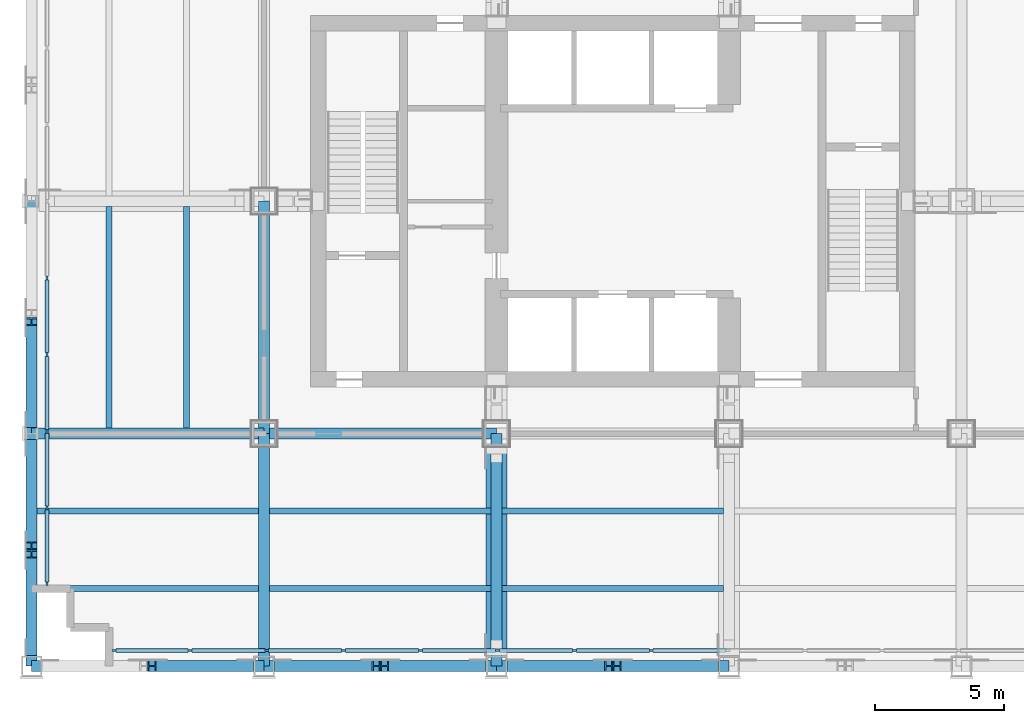
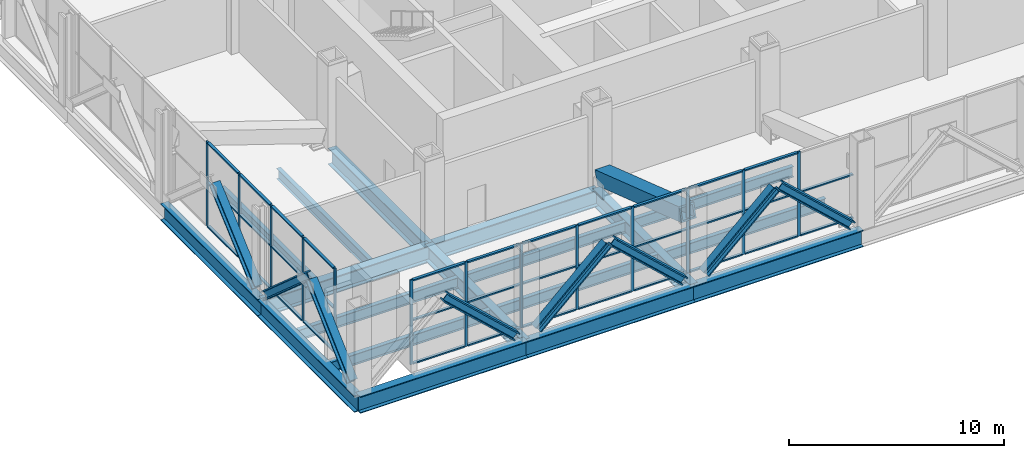
# One storey, part 2 of 16: 57 members, 18 beams, 2 elements without a shape of their own.
"""IFC4 building model written with IfcOpenShell, lengths in metres."""

from ifc_helpers import new_model, si_unit, direction, frame, origin, origin_2d, place, context, subcontext, project, spatial, rectangle, hollow_rectangle, i_section, extrude, material, material_profile, profile_set, type_object, element, aggregate, save


model = new_model("IFC4")

# Units and contexts
model_context = context("Model", 3, precision=1e-05, world=origin(), true_north=direction((0.0, 1.0)))
body_context = subcontext(model_context, "Body", "Model", "MODEL_VIEW")
ifc_project = project(units=[si_unit("LENGTHUNIT", "METRE"), si_unit("AREAUNIT", "SQUARE_METRE"), si_unit("VOLUMEUNIT", "CUBIC_METRE"), si_unit("PLANEANGLEUNIT", "RADIAN"), si_unit("MASSUNIT", "GRAM", prefix="KILO")], contexts=[model_context])

# Site, building, storey
site_placement = place(None, origin())
site = spatial("IfcSite", under=ifc_project, at=site_placement, CompositionType="ELEMENT")
building_placement = place(site_placement, origin())
building = spatial("IfcBuilding", under=site, at=building_placement, Name="Loomwork Tower", CompositionType="ELEMENT")
storey_placement = place(building_placement, frame((0.0, 0.0, 155.39990234375)))
storey = spatial("IfcBuildingStorey", under=building, at=storey_placement, Name="L42", CompositionType="ELEMENT", Elevation=155.39990234375)

# Beams
ifc_material_1 = material(Name="Steel ASTM A992", Category="steel")
ifc_material_profile_1 = material_profile(ifc_material_1, i_section(OverallWidth=0.424072265625, OverallDepth=0.947509765625, WebThickness=0.02392578125, FlangeThickness=0.042724609375, at=origin_2d()), Name="W36x302")
ifc_profile_set_1 = profile_set([ifc_material_profile_1], Name="Steel ASTM A992")
beam_type_1 = type_object("IfcBeamType", Name="BELT CHORD SPANDREL W36x302", PredefinedType="SPANDREL", material=ifc_profile_set_1)
for number, where, z_axis, x_axis, name in (
    (1, (0.0, 0.0, -0.7236328125), (1.0, 0.0, 0.0), (0.0, 1.0, 0.0), "Belt Chord Spandrel D/2-D/3 L42"),
    (2, (9.0, 0.0, -0.7236328125), (1.0, 0.0, 0.0), (0.0, 1.0, 0.0), "Belt Chord Spandrel D/3-D/4 L42"),
    (3, (18.0, 0.0, -0.7236328125), (1.0, 0.0, 0.0), (0.0, 1.0, 0.0), "Belt Chord Spandrel D/4-D/5 L42"),
    (4, (0.0, 0.0, -0.7236328125), (0.0, 1.0, 0.0), (-1.0, 0.0, 0.0), "Belt Chord Spandrel D/2-E/2 L42"),
    (5, (0.0, 9.0, -0.7236328125), (0.0, 1.0, 0.0), (-1.0, 0.0, 0.0), "Belt Chord Spandrel E/2-F/2 L42"),
):
    element("IfcBeam", number, at=place(storey_placement, frame(where, z_axis=z_axis, x_axis=x_axis)), inside=storey, type_object=beam_type_1, Name=name, PredefinedType="SPANDREL", context=body_context, shape_type="SweptSolid", body=[
        extrude(i_section(OverallWidth=0.424072265625, OverallDepth=0.947509765625, WebThickness=0.02392578125, FlangeThickness=0.042724609375, at=origin_2d()), origin(), (0.0, 0.0, 1.0), 9.0),
    ])

# Members
ifc_material_2 = material(Name="Steel ASTM A992", Category="steel")
ifc_material_profile_2 = material_profile(ifc_material_2, i_section(OverallWidth=0.419189453125, OverallDepth=0.45458984375, WebThickness=0.042236328125, FlangeThickness=0.067626953125, at=origin_2d()), Name="W14x370")
ifc_profile_set_2 = profile_set([ifc_material_profile_2], Name="Steel ASTM A992")
member_type_1 = type_object("IfcMemberType", Name="BELT TRUSS DIAGONAL W14x370", PredefinedType="BRACE", material=ifc_profile_set_2)
for number, where, z_axis, x_axis, name in (
    (6, (8.435302734375, 0.0, 0.1767578125), (-0.733176969672, 0.0, 0.680037889491), (0.0, -1.0, 0.0), "Belt truss diagonal D/2-D/3 L42"),
    (7, (9.564697265625, 0.0, 0.1767578125), (0.733176969672, 0.0, 0.680037889491), (0.0, 1.0, 0.0), "Belt truss diagonal D/3-D/4 L42"),
    (8, (17.435302734375, 0.0, 0.1767578125), (-0.733176969672, 0.0, 0.680037889491), (0.0, -1.0, 0.0), "Belt truss diagonal D/3-D/4 L42"),
    (9, (18.564697265625, 0.0, 0.1767578125), (0.733176969672, 0.0, 0.680037889491), (0.0, 1.0, 0.0), "Belt truss diagonal D/4-D/5 L42"),
    (10, (26.435302734375, 0.0, 0.1767578125), (-0.733176969672, 0.0, 0.680037889491), (0.0, -1.0, 0.0), "Belt truss diagonal D/4-D/5 L42"),
    (11, (0.0, 0.564697265625, 0.1767578125), (0.0, 0.733176969672, 0.680037889491), (-1.0, 0.0, 0.0), "Belt truss diagonal D/2-E/2 L42"),
):
    element("IfcMember", number, at=place(storey_placement, frame(where, z_axis=z_axis, x_axis=x_axis)), inside=storey, type_object=member_type_1, Name=name, PredefinedType="BRACE", context=body_context, shape_type="SweptSolid", body=[
        extrude(i_section(OverallWidth=0.419189453125, OverallDepth=0.45458984375, WebThickness=0.042236328125, FlangeThickness=0.067626953125, at=origin_2d()), origin(), (0.0, 0.0, 1.0), 5.145751953125),
    ])
for number, where, z_axis, x_axis, name in (
    (12, (0.0, 8.61865234375, 0.1806640625), (0.0, -0.750125217925, 0.661295816887), (1.0, 0.0, 0.0), "Belt truss diagonal D/2-E/2 L42"),
    (13, (0.0, 9.38134765625, 0.1806640625), (0.0, 0.750125217925, 0.661295816887), (-1.0, 0.0, 0.0), "Belt truss diagonal E/2-F/2 L42"),
):
    element("IfcMember", number, at=place(storey_placement, frame(where, z_axis=z_axis, x_axis=x_axis)), inside=storey, type_object=member_type_1, Name=name, PredefinedType="BRACE", context=body_context, shape_type="SweptSolid", body=[
        extrude(i_section(OverallWidth=0.419189453125, OverallDepth=0.45458984375, WebThickness=0.042236328125, FlangeThickness=0.067626953125, at=origin_2d()), origin(), (0.0, 0.0, 1.0), 5.27978515625),
    ])
ifc_material_3 = material(Name="Steel ASTM A572 Grade 50 plate", Category="steel")
ifc_material_profile_3 = material_profile(ifc_material_3, hollow_rectangle(XDim=0.800048828125, YDim=0.800048828125, WallThickness=0.090087890625, at=origin_2d()), Name="BOX800x90")
ifc_profile_set_3 = profile_set([ifc_material_profile_3], Name="Steel ASTM A572 Grade 50 plate")
member_type_2 = type_object("IfcMemberType", Name="OUTRIGGER DIAGONAL BOX800x90", PredefinedType="BRACE", material=ifc_profile_set_3)
member_1_placement = place(storey_placement, frame((18.0, 0.53955078125, 3.46142578125), z_axis=(0.0, 0.947848598928, -0.318720933593), x_axis=(-1.0, 0.0, 0.0)))
element("IfcMember", 14, at=member_1_placement, inside=storey, type_object=member_type_2, Name="Outrigger diagonal D/4 L42", PredefinedType="BRACE", context=body_context, shape_type="SweptSolid", body=[
    extrude(hollow_rectangle(XDim=0.800048828125, YDim=0.800048828125, WallThickness=0.090087890625, at=origin_2d()), origin(), (0.0, 0.0, 1.0), 8.25146484375),
])

# Beams
ifc_material_4 = material(Name="Steel ASTM A992", Category="steel")
ifc_material_profile_4 = material_profile(ifc_material_4, i_section(OverallWidth=0.4267578125, OverallDepth=0.939697265625, WebThickness=0.028564453125, FlangeThickness=0.050537109375, at=origin_2d()), Name="W36x361")
ifc_profile_set_4 = profile_set([ifc_material_profile_4], Name="Steel ASTM A992")
beam_type_2 = type_object("IfcBeamType", Name="OUTRIGGER FLOOR GIRDER W36x361", PredefinedType="BEAM", material=ifc_profile_set_4)
for number, where, z_axis, x_axis, name in (
    (15, (0.0, 9.0, -0.7197265625), (1.0, 0.0, 0.0), (0.0, 1.0, 0.0), "Outrigger Floor Girder E/2-E/3 L42"),
    (16, (9.0, 9.0, -0.7197265625), (1.0, 0.0, 0.0), (0.0, 1.0, 0.0), "Outrigger Floor Girder E/3-E/4 L42"),
    (17, (9.0, 0.0, -0.7197265625), (0.0, 1.0, 0.0), (-1.0, 0.0, 0.0), "Outrigger Floor Girder D/3-E/3 L42"),
    (18, (9.0, 9.0, -0.7197265625), (0.0, 1.0, 0.0), (-1.0, 0.0, 0.0), "Outrigger Floor Girder E/3-F/3 L42"),
):
    element("IfcBeam", number, at=place(storey_placement, frame(where, z_axis=z_axis, x_axis=x_axis)), inside=storey, type_object=beam_type_2, Name=name, PredefinedType="BEAM", context=body_context, shape_type="SweptSolid", body=[
        extrude(i_section(OverallWidth=0.4267578125, OverallDepth=0.939697265625, WebThickness=0.028564453125, FlangeThickness=0.050537109375, at=origin_2d()), origin(), (0.0, 0.0, 1.0), 9.0),
    ])
ifc_material_5 = material(Name="Steel ASTM A992", Category="steel")
ifc_material_profile_5 = material_profile(ifc_material_5, i_section(OverallWidth=0.424072265625, OverallDepth=0.947509765625, WebThickness=0.02392578125, FlangeThickness=0.042724609375, at=origin_2d()), Name="W36x302")
ifc_profile_set_5 = profile_set([ifc_material_profile_5], Name="Steel ASTM A992")
beam_type_3 = type_object("IfcBeamType", Name="OUTRIGGER GIRDER W36x302", PredefinedType="BEAM", material=ifc_profile_set_5)
beam_placement = place(storey_placement, frame((18.0, 0.0, -0.7236328125), z_axis=(0.0, 1.0, 0.0), x_axis=(-1.0, 0.0, 0.0)))
element("IfcBeam", 19, at=beam_placement, inside=storey, type_object=beam_type_3, Name="Outrigger Girder D/4-E/4 L42", PredefinedType="BEAM", context=body_context, shape_type="SweptSolid", body=[
    extrude(i_section(OverallWidth=0.424072265625, OverallDepth=0.947509765625, WebThickness=0.02392578125, FlangeThickness=0.042724609375, at=origin_2d()), origin(), (0.0, 0.0, 1.0), 9.0),
])
ifc_material_6 = material(Name="Steel ASTM A992", Category="steel")
ifc_material_profile_6 = material_profile(ifc_material_6, i_section(OverallWidth=0.228271484375, OverallDepth=0.607177734375, WebThickness=0.01123046875, FlangeThickness=0.017333984375, at=origin_2d()), Name="W24x76")
ifc_profile_set_6 = profile_set([ifc_material_profile_6], Name="Steel ASTM A992")
beam_type_4 = type_object("IfcBeamType", Name="PLANT FLOOR JOIST W24x76", PredefinedType="JOIST", material=ifc_profile_set_6)
for number, where, z_axis, x_axis, name in (
    (20, (0.2119140625, 3.0, -0.553466796875), (1.0, 0.0, 0.0), (0.0, 1.0, 0.0), "Plant Floor Joist 0.000,3.000-9.000,3.000 L42"),
    (21, (0.2119140625, 6.0, -0.553466796875), (1.0, 0.0, 0.0), (0.0, 1.0, 0.0), "Plant Floor Joist 0.000,6.000-9.000,6.000 L42"),
    (22, (3.0, 9.212890625, -0.553466796875), (0.0, 1.0, 0.0), (-1.0, 0.0, 0.0), "Plant Floor Joist 3.000,9.000-3.000,18.000 L42"),
    (23, (6.0, 9.212890625, -0.553466796875), (0.0, 1.0, 0.0), (-1.0, 0.0, 0.0), "Plant Floor Joist 6.000,9.000-6.000,18.000 L42"),
    (24, (9.212890625, 3.0, -0.553466796875), (1.0, 0.0, 0.0), (0.0, 1.0, 0.0), "Plant Floor Joist 9.000,3.000-18.000,3.000 L42"),
    (25, (9.212890625, 6.0, -0.553466796875), (1.0, 0.0, 0.0), (0.0, 1.0, 0.0), "Plant Floor Joist 9.000,6.000-18.000,6.000 L42"),
):
    element("IfcBeam", number, at=place(storey_placement, frame(where, z_axis=z_axis, x_axis=x_axis)), inside=storey, type_object=beam_type_4, Name=name, PredefinedType="JOIST", context=body_context, shape_type="SweptSolid", body=[
        extrude(i_section(OverallWidth=0.228271484375, OverallDepth=0.607177734375, WebThickness=0.01123046875, FlangeThickness=0.017333984375, at=origin_2d()), origin(), (0.0, 0.0, 1.0), 8.5751953125),
    ])
for number, where, z_axis, x_axis, name in (
    (26, (18.2119140625, 3.0, -0.553466796875), (1.0, 0.0, 0.0), (0.0, 1.0, 0.0), "Plant Floor Joist 18.000,3.000-27.000,3.000 L42"),
    (27, (18.2119140625, 6.0, -0.553466796875), (1.0, 0.0, 0.0), (0.0, 1.0, 0.0), "Plant Floor Joist 18.000,6.000-27.000,6.000 L42"),
):
    element("IfcBeam", number, at=place(storey_placement, frame(where, z_axis=z_axis, x_axis=x_axis)), inside=storey, type_object=beam_type_4, Name=name, PredefinedType="JOIST", context=body_context, shape_type="SweptSolid", body=[
        extrude(i_section(OverallWidth=0.228271484375, OverallDepth=0.607177734375, WebThickness=0.01123046875, FlangeThickness=0.017333984375, at=origin_2d()), origin(), (0.0, 0.0, 1.0), 8.576171875),
    ])

# Curtain wall, members
ifc_material_7 = material(Name="Aluminium louvre frame", Category="aluminium")
curtain_wall_type = type_object("IfcCurtainWallType", Name="Plant floor louvre screen", PredefinedType="NOTDEFINED", material=ifc_material_7)
curtain_wall_1_placement = place(storey_placement, origin())
curtain_wall_1 = element("IfcCurtainWall", 28, at=curtain_wall_1_placement, inside=storey, type_object=curtain_wall_type, Name="Plant floor louvre screen cw/S", PredefinedType="NOTDEFINED")
ifc_material_8 = material(Name="Aluminium louvre frame", Category="aluminium")
ifc_material_profile_7 = material_profile(ifc_material_8, rectangle(XDim=0.080078125, YDim=0.14990234375, at=origin_2d()), Name="AL 80x150")
ifc_profile_set_7 = profile_set([ifc_material_profile_7], Name="Aluminium louvre frame")
member_type_3 = type_object("IfcMemberType", Name="Plant floor louvre screen mullion", PredefinedType="MULLION", material=ifc_profile_set_7)
member_2_placement = place(storey_placement, frame((3.18994140625, 0.60009765625, 0.0), z_axis=(0.0, 0.0, 1.0), x_axis=(0.0, 1.0, 0.0)))
member_2 = element("IfcMember", 29, at=member_2_placement, type_object=member_type_3, Name="CW4 mullion 1", PredefinedType="MULLION", context=body_context, shape_type="SweptSolid", body=[
    extrude(rectangle(XDim=0.080078125, YDim=0.14990234375, at=origin_2d()), origin(), (0.0, 0.0, 1.0), 4.800048828125),
])
member_3_placement = place(storey_placement, frame((6.126953125, 0.60009765625, 0.0), z_axis=(0.0, 0.0, 1.0), x_axis=(0.0, 1.0, 0.0)))
member_3 = element("IfcMember", 30, at=member_3_placement, type_object=member_type_3, Name="CW4 mullion 2", PredefinedType="MULLION", context=body_context, shape_type="SweptSolid", body=[
    extrude(rectangle(XDim=0.080078125, YDim=0.14990234375, at=origin_2d()), origin(), (0.0, 0.0, 1.0), 4.800048828125),
])
member_4_placement = place(storey_placement, frame((9.103759765625, 0.60009765625, 0.0), z_axis=(0.0, 0.0, 1.0), x_axis=(0.0, 1.0, 0.0)))
member_4 = element("IfcMember", 31, at=member_4_placement, type_object=member_type_3, Name="CW4 mullion 3", PredefinedType="MULLION", context=body_context, shape_type="SweptSolid", body=[
    extrude(rectangle(XDim=0.080078125, YDim=0.14990234375, at=origin_2d()), origin(), (0.0, 0.0, 1.0), 4.800048828125),
])
member_5_placement = place(storey_placement, frame((12.080810546875, 0.60009765625, 0.0), z_axis=(0.0, 0.0, 1.0), x_axis=(0.0, 1.0, 0.0)))
member_5 = element("IfcMember", 32, at=member_5_placement, type_object=member_type_3, Name="CW4 mullion 4", PredefinedType="MULLION", context=body_context, shape_type="SweptSolid", body=[
    extrude(rectangle(XDim=0.080078125, YDim=0.14990234375, at=origin_2d()), origin(), (0.0, 0.0, 1.0), 4.800048828125),
])
member_6_placement = place(storey_placement, frame((15.0576171875, 0.60009765625, 0.0), z_axis=(0.0, 0.0, 1.0), x_axis=(0.0, 1.0, 0.0)))
member_6 = element("IfcMember", 33, at=member_6_placement, type_object=member_type_3, Name="CW4 mullion 5", PredefinedType="MULLION", context=body_context, shape_type="SweptSolid", body=[
    extrude(rectangle(XDim=0.080078125, YDim=0.14990234375, at=origin_2d()), origin(), (0.0, 0.0, 1.0), 4.800048828125),
])
member_7_placement = place(storey_placement, frame((18.03466796875, 0.60009765625, 0.0), z_axis=(0.0, 0.0, 1.0), x_axis=(0.0, 1.0, 0.0)))
member_7 = element("IfcMember", 34, at=member_7_placement, type_object=member_type_3, Name="CW4 mullion 6", PredefinedType="MULLION", context=body_context, shape_type="SweptSolid", body=[
    extrude(rectangle(XDim=0.080078125, YDim=0.14990234375, at=origin_2d()), origin(), (0.0, 0.0, 1.0), 4.800048828125),
])
member_8_placement = place(storey_placement, frame((21.011474609375, 0.60009765625, 0.0), z_axis=(0.0, 0.0, 1.0), x_axis=(0.0, 1.0, 0.0)))
member_8 = element("IfcMember", 35, at=member_8_placement, type_object=member_type_3, Name="CW4 mullion 7", PredefinedType="MULLION", context=body_context, shape_type="SweptSolid", body=[
    extrude(rectangle(XDim=0.080078125, YDim=0.14990234375, at=origin_2d()), origin(), (0.0, 0.0, 1.0), 4.800048828125),
])
member_9_placement = place(storey_placement, frame((23.988525390625, 0.60009765625, 0.0), z_axis=(0.0, 0.0, 1.0), x_axis=(0.0, 1.0, 0.0)))
member_9 = element("IfcMember", 36, at=member_9_placement, type_object=member_type_3, Name="CW4 mullion 8", PredefinedType="MULLION", context=body_context, shape_type="SweptSolid", body=[
    extrude(rectangle(XDim=0.080078125, YDim=0.14990234375, at=origin_2d()), origin(), (0.0, 0.0, 1.0), 4.800048828125),
])

curtain_wall_2_placement = place(storey_placement, origin())
curtain_wall_2 = element("IfcCurtainWall", 37, at=curtain_wall_2_placement, inside=storey, type_object=curtain_wall_type, Name="Plant floor louvre screen cw/W", PredefinedType="NOTDEFINED")
member_10_placement = place(storey_placement, frame((0.60009765625, 15.030029296875, 0.0), z_axis=(0.0, 0.0, 1.0), x_axis=(1.0, 0.0, 0.0)))
member_10 = element("IfcMember", 38, at=member_10_placement, type_object=member_type_3, Name="CW4 mullion 7", PredefinedType="MULLION", context=body_context, shape_type="SweptSolid", body=[
    extrude(rectangle(XDim=0.080078125, YDim=0.14990234375, at=origin_2d()), origin(), (0.0, 0.0, 1.0), 4.800048828125),
])
member_11_placement = place(storey_placement, frame((0.60009765625, 12.06005859375, 0.0), z_axis=(0.0, 0.0, 1.0), x_axis=(1.0, 0.0, 0.0)))
member_11 = element("IfcMember", 39, at=member_11_placement, type_object=member_type_3, Name="CW4 mullion 8", PredefinedType="MULLION", context=body_context, shape_type="SweptSolid", body=[
    extrude(rectangle(XDim=0.080078125, YDim=0.14990234375, at=origin_2d()), origin(), (0.0, 0.0, 1.0), 4.800048828125),
])
member_12_placement = place(storey_placement, frame((0.60009765625, 9.090087890625, 0.0), z_axis=(0.0, 0.0, 1.0), x_axis=(1.0, 0.0, 0.0)))
member_12 = element("IfcMember", 40, at=member_12_placement, type_object=member_type_3, Name="CW4 mullion 9", PredefinedType="MULLION", context=body_context, shape_type="SweptSolid", body=[
    extrude(rectangle(XDim=0.080078125, YDim=0.14990234375, at=origin_2d()), origin(), (0.0, 0.0, 1.0), 4.800048828125),
])
member_13_placement = place(storey_placement, frame((0.60009765625, 6.1201171875, 0.0), z_axis=(0.0, 0.0, 1.0), x_axis=(1.0, 0.0, 0.0)))
member_13 = element("IfcMember", 41, at=member_13_placement, type_object=member_type_3, Name="CW4 mullion 10", PredefinedType="MULLION", context=body_context, shape_type="SweptSolid", body=[
    extrude(rectangle(XDim=0.080078125, YDim=0.14990234375, at=origin_2d()), origin(), (0.0, 0.0, 1.0), 4.800048828125),
])
member_14_placement = place(storey_placement, frame((0.60009765625, 3.18994140625, 0.0), z_axis=(0.0, 0.0, 1.0), x_axis=(1.0, 0.0, 0.0)))
member_14 = element("IfcMember", 42, at=member_14_placement, type_object=member_type_3, Name="CW4 mullion 11", PredefinedType="MULLION", context=body_context, shape_type="SweptSolid", body=[
    extrude(rectangle(XDim=0.080078125, YDim=0.14990234375, at=origin_2d()), origin(), (0.0, 0.0, 1.0), 4.800048828125),
])

# Member
ifc_material_9 = material(Name="Aluminium louvre frame", Category="aluminium")
ifc_material_profile_8 = material_profile(ifc_material_9, rectangle(XDim=0.14990234375, YDim=0.080078125, at=origin_2d()), Name="AL 80x150")
ifc_profile_set_8 = profile_set([ifc_material_profile_8], Name="Aluminium louvre frame")
member_type_4 = type_object("IfcMemberType", Name="Plant floor louvre screen transom", PredefinedType="USERDEFINED", material=ifc_profile_set_8)
member_15_placement = place(storey_placement, frame((3.264892578125, 0.60009765625, 0.0400390625), z_axis=(1.0, 0.0, 0.0), x_axis=(0.0, 1.0, 0.0)))
member_15 = element("IfcMember", 43, at=member_15_placement, type_object=member_type_4, Name="CW4 transom 1.1", ObjectType="TRANSOM", PredefinedType="USERDEFINED", context=body_context, shape_type="SweptSolid", body=[
    extrude(rectangle(XDim=0.14990234375, YDim=0.080078125, at=origin_2d()), origin(), (0.0, 0.0, 1.0), 2.787109375),
])

member_16_placement = place(storey_placement, frame((3.264892578125, 0.60009765625, 2.5), z_axis=(1.0, 0.0, 0.0), x_axis=(0.0, 1.0, 0.0)))
member_16 = element("IfcMember", 44, at=member_16_placement, type_object=member_type_4, Name="CW4 transom 1.2", ObjectType="TRANSOM", PredefinedType="USERDEFINED", context=body_context, shape_type="SweptSolid", body=[
    extrude(rectangle(XDim=0.14990234375, YDim=0.080078125, at=origin_2d()), origin(), (0.0, 0.0, 1.0), 2.787109375),
])

member_17_placement = place(storey_placement, frame((3.264892578125, 0.60009765625, 4.760009765625), z_axis=(1.0, 0.0, 0.0), x_axis=(0.0, 1.0, 0.0)))
member_17 = element("IfcMember", 45, at=member_17_placement, type_object=member_type_4, Name="CW4 transom 1.3", ObjectType="TRANSOM", PredefinedType="USERDEFINED", context=body_context, shape_type="SweptSolid", body=[
    extrude(rectangle(XDim=0.14990234375, YDim=0.080078125, at=origin_2d()), origin(), (0.0, 0.0, 1.0), 2.787109375),
])

member_18_placement = place(storey_placement, frame((6.201904296875, 0.60009765625, 0.0400390625), z_axis=(1.0, 0.0, 0.0), x_axis=(0.0, 1.0, 0.0)))
member_18 = element("IfcMember", 46, at=member_18_placement, type_object=member_type_4, Name="CW4 transom 2.1", ObjectType="TRANSOM", PredefinedType="USERDEFINED", context=body_context, shape_type="SweptSolid", body=[
    extrude(rectangle(XDim=0.14990234375, YDim=0.080078125, at=origin_2d()), origin(), (0.0, 0.0, 1.0), 2.826904296875),
])

member_19_placement = place(storey_placement, frame((6.201904296875, 0.60009765625, 2.5), z_axis=(1.0, 0.0, 0.0), x_axis=(0.0, 1.0, 0.0)))
member_19 = element("IfcMember", 47, at=member_19_placement, type_object=member_type_4, Name="CW4 transom 2.2", ObjectType="TRANSOM", PredefinedType="USERDEFINED", context=body_context, shape_type="SweptSolid", body=[
    extrude(rectangle(XDim=0.14990234375, YDim=0.080078125, at=origin_2d()), origin(), (0.0, 0.0, 1.0), 2.826904296875),
])

member_20_placement = place(storey_placement, frame((6.201904296875, 0.60009765625, 4.760009765625), z_axis=(1.0, 0.0, 0.0), x_axis=(0.0, 1.0, 0.0)))
member_20 = element("IfcMember", 48, at=member_20_placement, type_object=member_type_4, Name="CW4 transom 2.3", ObjectType="TRANSOM", PredefinedType="USERDEFINED", context=body_context, shape_type="SweptSolid", body=[
    extrude(rectangle(XDim=0.14990234375, YDim=0.080078125, at=origin_2d()), origin(), (0.0, 0.0, 1.0), 2.826904296875),
])

member_21_placement = place(storey_placement, frame((9.178955078125, 0.60009765625, 0.0400390625), z_axis=(1.0, 0.0, 0.0), x_axis=(0.0, 1.0, 0.0)))
member_21 = element("IfcMember", 49, at=member_21_placement, type_object=member_type_4, Name="CW4 transom 3.1", ObjectType="TRANSOM", PredefinedType="USERDEFINED", context=body_context, shape_type="SweptSolid", body=[
    extrude(rectangle(XDim=0.14990234375, YDim=0.080078125, at=origin_2d()), origin(), (0.0, 0.0, 1.0), 2.826904296875),
])

member_22_placement = place(storey_placement, frame((9.178955078125, 0.60009765625, 2.5), z_axis=(1.0, 0.0, 0.0), x_axis=(0.0, 1.0, 0.0)))
member_22 = element("IfcMember", 50, at=member_22_placement, type_object=member_type_4, Name="CW4 transom 3.2", ObjectType="TRANSOM", PredefinedType="USERDEFINED", context=body_context, shape_type="SweptSolid", body=[
    extrude(rectangle(XDim=0.14990234375, YDim=0.080078125, at=origin_2d()), origin(), (0.0, 0.0, 1.0), 2.826904296875),
])

member_23_placement = place(storey_placement, frame((9.178955078125, 0.60009765625, 4.760009765625), z_axis=(1.0, 0.0, 0.0), x_axis=(0.0, 1.0, 0.0)))
member_23 = element("IfcMember", 51, at=member_23_placement, type_object=member_type_4, Name="CW4 transom 3.3", ObjectType="TRANSOM", PredefinedType="USERDEFINED", context=body_context, shape_type="SweptSolid", body=[
    extrude(rectangle(XDim=0.14990234375, YDim=0.080078125, at=origin_2d()), origin(), (0.0, 0.0, 1.0), 2.826904296875),
])

member_24_placement = place(storey_placement, frame((12.15576171875, 0.60009765625, 0.0400390625), z_axis=(1.0, 0.0, 0.0), x_axis=(0.0, 1.0, 0.0)))
member_24 = element("IfcMember", 52, at=member_24_placement, type_object=member_type_4, Name="CW4 transom 4.1", ObjectType="TRANSOM", PredefinedType="USERDEFINED", context=body_context, shape_type="SweptSolid", body=[
    extrude(rectangle(XDim=0.14990234375, YDim=0.080078125, at=origin_2d()), origin(), (0.0, 0.0, 1.0), 2.826904296875),
])

member_25_placement = place(storey_placement, frame((12.15576171875, 0.60009765625, 2.5), z_axis=(1.0, 0.0, 0.0), x_axis=(0.0, 1.0, 0.0)))
member_25 = element("IfcMember", 53, at=member_25_placement, type_object=member_type_4, Name="CW4 transom 4.2", ObjectType="TRANSOM", PredefinedType="USERDEFINED", context=body_context, shape_type="SweptSolid", body=[
    extrude(rectangle(XDim=0.14990234375, YDim=0.080078125, at=origin_2d()), origin(), (0.0, 0.0, 1.0), 2.826904296875),
])

member_26_placement = place(storey_placement, frame((12.15576171875, 0.60009765625, 4.760009765625), z_axis=(1.0, 0.0, 0.0), x_axis=(0.0, 1.0, 0.0)))
member_26 = element("IfcMember", 54, at=member_26_placement, type_object=member_type_4, Name="CW4 transom 4.3", ObjectType="TRANSOM", PredefinedType="USERDEFINED", context=body_context, shape_type="SweptSolid", body=[
    extrude(rectangle(XDim=0.14990234375, YDim=0.080078125, at=origin_2d()), origin(), (0.0, 0.0, 1.0), 2.826904296875),
])

member_27_placement = place(storey_placement, frame((15.1328125, 0.60009765625, 0.0400390625), z_axis=(1.0, 0.0, 0.0), x_axis=(0.0, 1.0, 0.0)))
member_27 = element("IfcMember", 55, at=member_27_placement, type_object=member_type_4, Name="CW4 transom 5.1", ObjectType="TRANSOM", PredefinedType="USERDEFINED", context=body_context, shape_type="SweptSolid", body=[
    extrude(rectangle(XDim=0.14990234375, YDim=0.080078125, at=origin_2d()), origin(), (0.0, 0.0, 1.0), 2.826904296875),
])

member_28_placement = place(storey_placement, frame((15.1328125, 0.60009765625, 2.5), z_axis=(1.0, 0.0, 0.0), x_axis=(0.0, 1.0, 0.0)))
member_28 = element("IfcMember", 56, at=member_28_placement, type_object=member_type_4, Name="CW4 transom 5.2", ObjectType="TRANSOM", PredefinedType="USERDEFINED", context=body_context, shape_type="SweptSolid", body=[
    extrude(rectangle(XDim=0.14990234375, YDim=0.080078125, at=origin_2d()), origin(), (0.0, 0.0, 1.0), 2.826904296875),
])

member_29_placement = place(storey_placement, frame((15.1328125, 0.60009765625, 4.760009765625), z_axis=(1.0, 0.0, 0.0), x_axis=(0.0, 1.0, 0.0)))
member_29 = element("IfcMember", 57, at=member_29_placement, type_object=member_type_4, Name="CW4 transom 5.3", ObjectType="TRANSOM", PredefinedType="USERDEFINED", context=body_context, shape_type="SweptSolid", body=[
    extrude(rectangle(XDim=0.14990234375, YDim=0.080078125, at=origin_2d()), origin(), (0.0, 0.0, 1.0), 2.826904296875),
])

member_30_placement = place(storey_placement, frame((18.109619140625, 0.60009765625, 0.0400390625), z_axis=(1.0, 0.0, 0.0), x_axis=(0.0, 1.0, 0.0)))
member_30 = element("IfcMember", 58, at=member_30_placement, type_object=member_type_4, Name="CW4 transom 6.1", ObjectType="TRANSOM", PredefinedType="USERDEFINED", context=body_context, shape_type="SweptSolid", body=[
    extrude(rectangle(XDim=0.14990234375, YDim=0.080078125, at=origin_2d()), origin(), (0.0, 0.0, 1.0), 2.826904296875),
])

member_31_placement = place(storey_placement, frame((18.109619140625, 0.60009765625, 2.5), z_axis=(1.0, 0.0, 0.0), x_axis=(0.0, 1.0, 0.0)))
member_31 = element("IfcMember", 59, at=member_31_placement, type_object=member_type_4, Name="CW4 transom 6.2", ObjectType="TRANSOM", PredefinedType="USERDEFINED", context=body_context, shape_type="SweptSolid", body=[
    extrude(rectangle(XDim=0.14990234375, YDim=0.080078125, at=origin_2d()), origin(), (0.0, 0.0, 1.0), 2.826904296875),
])

member_32_placement = place(storey_placement, frame((18.109619140625, 0.60009765625, 4.760009765625), z_axis=(1.0, 0.0, 0.0), x_axis=(0.0, 1.0, 0.0)))
member_32 = element("IfcMember", 60, at=member_32_placement, type_object=member_type_4, Name="CW4 transom 6.3", ObjectType="TRANSOM", PredefinedType="USERDEFINED", context=body_context, shape_type="SweptSolid", body=[
    extrude(rectangle(XDim=0.14990234375, YDim=0.080078125, at=origin_2d()), origin(), (0.0, 0.0, 1.0), 2.826904296875),
])

member_33_placement = place(storey_placement, frame((21.08642578125, 0.60009765625, 0.0400390625), z_axis=(1.0, 0.0, 0.0), x_axis=(0.0, 1.0, 0.0)))
member_33 = element("IfcMember", 61, at=member_33_placement, type_object=member_type_4, Name="CW4 transom 7.1", ObjectType="TRANSOM", PredefinedType="USERDEFINED", context=body_context, shape_type="SweptSolid", body=[
    extrude(rectangle(XDim=0.14990234375, YDim=0.080078125, at=origin_2d()), origin(), (0.0, 0.0, 1.0), 2.8271484375),
])

member_34_placement = place(storey_placement, frame((21.08642578125, 0.60009765625, 2.5), z_axis=(1.0, 0.0, 0.0), x_axis=(0.0, 1.0, 0.0)))
member_34 = element("IfcMember", 62, at=member_34_placement, type_object=member_type_4, Name="CW4 transom 7.2", ObjectType="TRANSOM", PredefinedType="USERDEFINED", context=body_context, shape_type="SweptSolid", body=[
    extrude(rectangle(XDim=0.14990234375, YDim=0.080078125, at=origin_2d()), origin(), (0.0, 0.0, 1.0), 2.8271484375),
])

member_35_placement = place(storey_placement, frame((21.08642578125, 0.60009765625, 4.760009765625), z_axis=(1.0, 0.0, 0.0), x_axis=(0.0, 1.0, 0.0)))
member_35 = element("IfcMember", 63, at=member_35_placement, type_object=member_type_4, Name="CW4 transom 7.3", ObjectType="TRANSOM", PredefinedType="USERDEFINED", context=body_context, shape_type="SweptSolid", body=[
    extrude(rectangle(XDim=0.14990234375, YDim=0.080078125, at=origin_2d()), origin(), (0.0, 0.0, 1.0), 2.8271484375),
])

member_36_placement = place(storey_placement, frame((24.0634765625, 0.60009765625, 0.0400390625), z_axis=(1.0, 0.0, 0.0), x_axis=(0.0, 1.0, 0.0)))
member_36 = element("IfcMember", 64, at=member_36_placement, type_object=member_type_4, Name="CW4 transom 8.1", ObjectType="TRANSOM", PredefinedType="USERDEFINED", context=body_context, shape_type="SweptSolid", body=[
    extrude(rectangle(XDim=0.14990234375, YDim=0.080078125, at=origin_2d()), origin(), (0.0, 0.0, 1.0), 2.826904296875),
])

member_37_placement = place(storey_placement, frame((24.0634765625, 0.60009765625, 2.5), z_axis=(1.0, 0.0, 0.0), x_axis=(0.0, 1.0, 0.0)))
member_37 = element("IfcMember", 65, at=member_37_placement, type_object=member_type_4, Name="CW4 transom 8.2", ObjectType="TRANSOM", PredefinedType="USERDEFINED", context=body_context, shape_type="SweptSolid", body=[
    extrude(rectangle(XDim=0.14990234375, YDim=0.080078125, at=origin_2d()), origin(), (0.0, 0.0, 1.0), 2.826904296875),
])

aggregate(curtain_wall_1, [member_2, member_3, member_4, member_5, member_6, member_7, member_8, member_9, member_15, member_16, member_17, member_18, member_19, member_20, member_21, member_22, member_23, member_24, member_25, member_26, member_27, member_28, member_29, member_30, member_31, member_32, member_33, member_34, member_35, member_36, member_37])

member_38_placement = place(storey_placement, frame((0.60009765625, 14.955078125, 0.0400390625), z_axis=(0.0, -1.0, 0.0), x_axis=(1.0, 0.0, 0.0)))
member_38 = element("IfcMember", 66, at=member_38_placement, type_object=member_type_4, Name="CW4 transom 7.1", ObjectType="TRANSOM", PredefinedType="USERDEFINED", context=body_context, shape_type="SweptSolid", body=[
    extrude(rectangle(XDim=0.14990234375, YDim=0.080078125, at=origin_2d()), origin(), (0.0, 0.0, 1.0), 2.820068359375),
])

member_39_placement = place(storey_placement, frame((0.60009765625, 14.955078125, 2.5), z_axis=(0.0, -1.0, 0.0), x_axis=(1.0, 0.0, 0.0)))
member_39 = element("IfcMember", 67, at=member_39_placement, type_object=member_type_4, Name="CW4 transom 7.2", ObjectType="TRANSOM", PredefinedType="USERDEFINED", context=body_context, shape_type="SweptSolid", body=[
    extrude(rectangle(XDim=0.14990234375, YDim=0.080078125, at=origin_2d()), origin(), (0.0, 0.0, 1.0), 2.820068359375),
])

member_40_placement = place(storey_placement, frame((0.60009765625, 14.955078125, 4.760009765625), z_axis=(0.0, -1.0, 0.0), x_axis=(1.0, 0.0, 0.0)))
member_40 = element("IfcMember", 68, at=member_40_placement, type_object=member_type_4, Name="CW4 transom 7.3", ObjectType="TRANSOM", PredefinedType="USERDEFINED", context=body_context, shape_type="SweptSolid", body=[
    extrude(rectangle(XDim=0.14990234375, YDim=0.080078125, at=origin_2d()), origin(), (0.0, 0.0, 1.0), 2.820068359375),
])

member_41_placement = place(storey_placement, frame((0.60009765625, 11.985107421875, 0.0400390625), z_axis=(0.0, -1.0, 0.0), x_axis=(1.0, 0.0, 0.0)))
member_41 = element("IfcMember", 69, at=member_41_placement, type_object=member_type_4, Name="CW4 transom 8.1", ObjectType="TRANSOM", PredefinedType="USERDEFINED", context=body_context, shape_type="SweptSolid", body=[
    extrude(rectangle(XDim=0.14990234375, YDim=0.080078125, at=origin_2d()), origin(), (0.0, 0.0, 1.0), 2.820068359375),
])

member_42_placement = place(storey_placement, frame((0.60009765625, 11.985107421875, 2.5), z_axis=(0.0, -1.0, 0.0), x_axis=(1.0, 0.0, 0.0)))
member_42 = element("IfcMember", 70, at=member_42_placement, type_object=member_type_4, Name="CW4 transom 8.2", ObjectType="TRANSOM", PredefinedType="USERDEFINED", context=body_context, shape_type="SweptSolid", body=[
    extrude(rectangle(XDim=0.14990234375, YDim=0.080078125, at=origin_2d()), origin(), (0.0, 0.0, 1.0), 2.820068359375),
])

member_43_placement = place(storey_placement, frame((0.60009765625, 11.985107421875, 4.760009765625), z_axis=(0.0, -1.0, 0.0), x_axis=(1.0, 0.0, 0.0)))
member_43 = element("IfcMember", 71, at=member_43_placement, type_object=member_type_4, Name="CW4 transom 8.3", ObjectType="TRANSOM", PredefinedType="USERDEFINED", context=body_context, shape_type="SweptSolid", body=[
    extrude(rectangle(XDim=0.14990234375, YDim=0.080078125, at=origin_2d()), origin(), (0.0, 0.0, 1.0), 2.820068359375),
])

member_44_placement = place(storey_placement, frame((0.60009765625, 9.014892578125, 0.0400390625), z_axis=(0.0, -1.0, 0.0), x_axis=(1.0, 0.0, 0.0)))
member_44 = element("IfcMember", 72, at=member_44_placement, type_object=member_type_4, Name="CW4 transom 9.1", ObjectType="TRANSOM", PredefinedType="USERDEFINED", context=body_context, shape_type="SweptSolid", body=[
    extrude(rectangle(XDim=0.14990234375, YDim=0.080078125, at=origin_2d()), origin(), (0.0, 0.0, 1.0), 2.81982421875),
])

member_45_placement = place(storey_placement, frame((0.60009765625, 9.014892578125, 2.5), z_axis=(0.0, -1.0, 0.0), x_axis=(1.0, 0.0, 0.0)))
member_45 = element("IfcMember", 73, at=member_45_placement, type_object=member_type_4, Name="CW4 transom 9.2", ObjectType="TRANSOM", PredefinedType="USERDEFINED", context=body_context, shape_type="SweptSolid", body=[
    extrude(rectangle(XDim=0.14990234375, YDim=0.080078125, at=origin_2d()), origin(), (0.0, 0.0, 1.0), 2.81982421875),
])

member_46_placement = place(storey_placement, frame((0.60009765625, 9.014892578125, 4.760009765625), z_axis=(0.0, -1.0, 0.0), x_axis=(1.0, 0.0, 0.0)))
member_46 = element("IfcMember", 74, at=member_46_placement, type_object=member_type_4, Name="CW4 transom 9.3", ObjectType="TRANSOM", PredefinedType="USERDEFINED", context=body_context, shape_type="SweptSolid", body=[
    extrude(rectangle(XDim=0.14990234375, YDim=0.080078125, at=origin_2d()), origin(), (0.0, 0.0, 1.0), 2.81982421875),
])

member_47_placement = place(storey_placement, frame((0.60009765625, 6.044921875, 0.0400390625), z_axis=(0.0, -1.0, 0.0), x_axis=(1.0, 0.0, 0.0)))
member_47 = element("IfcMember", 75, at=member_47_placement, type_object=member_type_4, Name="CW4 transom 10.1", ObjectType="TRANSOM", PredefinedType="USERDEFINED", context=body_context, shape_type="SweptSolid", body=[
    extrude(rectangle(XDim=0.14990234375, YDim=0.080078125, at=origin_2d()), origin(), (0.0, 0.0, 1.0), 2.780029296875),
])

member_48_placement = place(storey_placement, frame((0.60009765625, 6.044921875, 2.5), z_axis=(0.0, -1.0, 0.0), x_axis=(1.0, 0.0, 0.0)))
member_48 = element("IfcMember", 76, at=member_48_placement, type_object=member_type_4, Name="CW4 transom 10.2", ObjectType="TRANSOM", PredefinedType="USERDEFINED", context=body_context, shape_type="SweptSolid", body=[
    extrude(rectangle(XDim=0.14990234375, YDim=0.080078125, at=origin_2d()), origin(), (0.0, 0.0, 1.0), 2.780029296875),
])

member_49_placement = place(storey_placement, frame((0.60009765625, 6.044921875, 4.760009765625), z_axis=(0.0, -1.0, 0.0), x_axis=(1.0, 0.0, 0.0)))
member_49 = element("IfcMember", 77, at=member_49_placement, type_object=member_type_4, Name="CW4 transom 10.3", ObjectType="TRANSOM", PredefinedType="USERDEFINED", context=body_context, shape_type="SweptSolid", body=[
    extrude(rectangle(XDim=0.14990234375, YDim=0.080078125, at=origin_2d()), origin(), (0.0, 0.0, 1.0), 2.780029296875),
])

aggregate(curtain_wall_2, [member_10, member_11, member_12, member_13, member_14, member_38, member_39, member_40, member_41, member_42, member_43, member_44, member_45, member_46, member_47, member_48, member_49])

save(model, "model.ifc")
